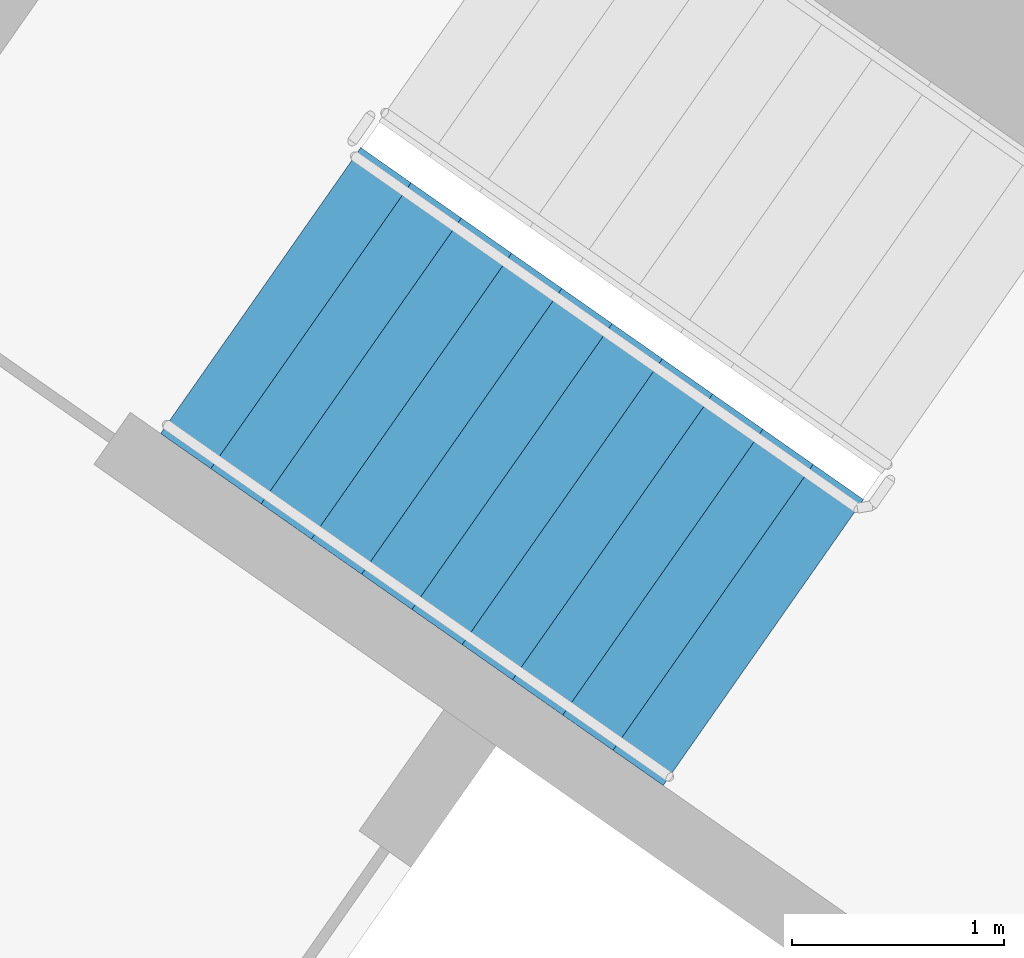
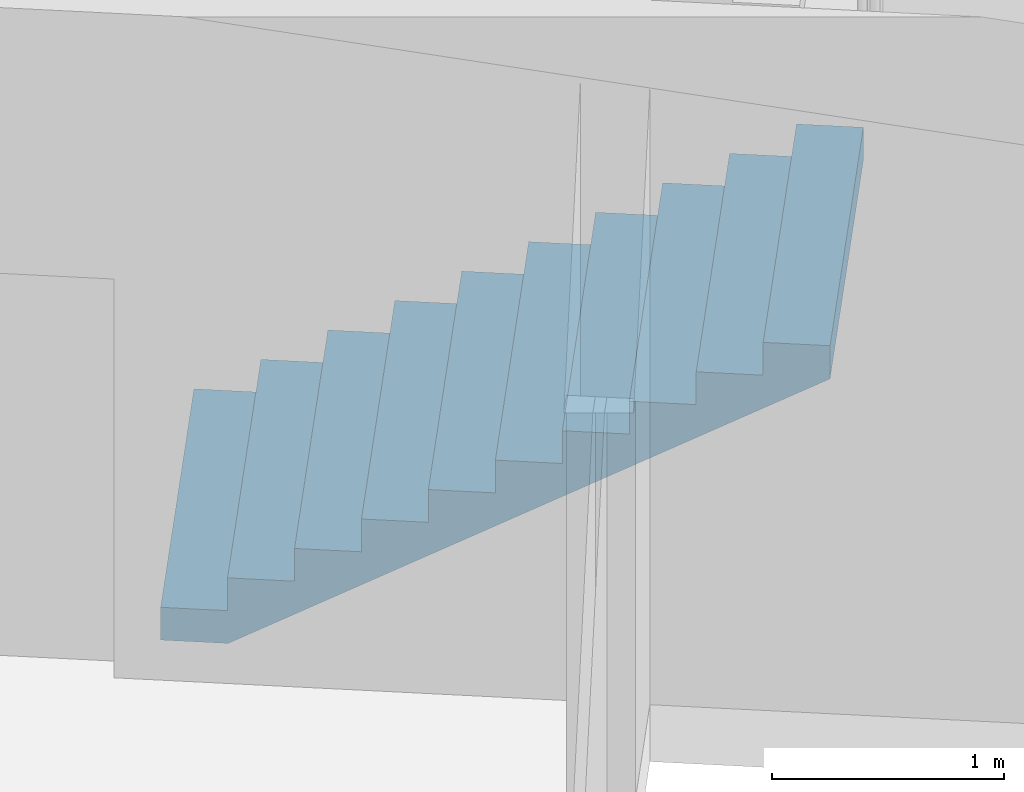
# One storey, part 11 of 29: 1 stair flight, 1 element without a shape of its own.
"""IFC4 building model written with IfcOpenShell, lengths in metres."""

from ifc_helpers import new_model, si_unit, direction, frame, origin, place, context, subcontext, project, spatial, faceted_brep, material, type_object, element, aggregate, save


model = new_model("IFC4")

# Units and contexts
model_context = context("Model", 3, precision=1e-05, world=origin(), true_north=direction((0.0, 1.0)))
body_context = subcontext(model_context, "Body", "Model", "MODEL_VIEW")
ifc_project = project(units=[si_unit("LENGTHUNIT", "METRE"), si_unit("AREAUNIT", "SQUARE_METRE"), si_unit("VOLUMEUNIT", "CUBIC_METRE"), si_unit("PLANEANGLEUNIT", "RADIAN"), si_unit("MASSUNIT", "GRAM", prefix="KILO")], contexts=[model_context])

# Site, building, storey
site_placement = place(None, origin())
site = spatial("IfcSite", under=ifc_project, at=site_placement, CompositionType="ELEMENT")
building_placement = place(site_placement, origin())
building = spatial("IfcBuilding", under=site, at=building_placement, Name="Qamariyya Broadcast Tower", CompositionType="ELEMENT")
storey_placement = place(building_placement, frame((0.0, 0.0, 261.89990234375)))
storey = spatial("IfcBuildingStorey", under=building, at=storey_placement, Name="L63", CompositionType="ELEMENT", Elevation=261.89990234375)

# Stair, stair flight
ifc_material = material(Name="Concrete C50/60", Category="concrete")
stair_type = type_object("IfcStairType", Name="Exit stair 22 risers of 173 mm", PredefinedType="HALF_TURN_STAIR", material=ifc_material)
stair_placement = place(storey_placement, origin())
stair = element("IfcStair", 1, at=stair_placement, inside=storey, type_object=stair_type, Name="L63 Stair W2", PredefinedType="HALF_TURN_STAIR")
stair_flight_type = type_object("IfcStairFlightType", Name="Exit stair flight 11 risers of 173 mm", PredefinedType="STRAIGHT", material=ifc_material)
stair_flight_placement = place(storey_placement, frame((-41.59130859375, -49.15966796875, 0.0), z_axis=(0.0, 0.0, 1.0), x_axis=(0.819152044289, -0.573576436351, 0.0)))
stair_flight = element("IfcStairFlight", 2, at=stair_flight_placement, type_object=stair_flight_type, Name="ST-W2 flight 1", NumberOfRisers=11, NumberOfTreads=10, PredefinedType="STRAIGHT", RiserHeight=0.172727273, TreadLength=0.29, context=body_context, shape_type="Brep", body=[
    faceted_brep([(0.0, 0.824951171875, 0.0), (0.0, 0.824951171875, 0.172607421875), (0.2900390625, 0.824951171875, 0.172607421875), (0.2900390625, 0.824951171875, 0.345458984375), (0.580078125, 0.824951171875, 0.345458984375), (0.580078125, 0.824951171875, 0.51806640625), (0.8701171875, 0.824951171875, 0.51806640625), (0.8701171875, 0.824951171875, 0.69091796875), (1.159912109375, 0.824951171875, 0.69091796875), (1.159912109375, 0.824951171875, 0.863525390625), (1.449951171875, 0.824951171875, 0.863525390625), (1.449951171875, 0.824951171875, 1.036376953125), (1.739990234375, 0.824951171875, 1.036376953125), (1.739990234375, 0.824951171875, 1.208984375), (2.030029296875, 0.824951171875, 1.208984375), (2.030029296875, 0.824951171875, 1.3818359375), (2.320068359375, 0.824951171875, 1.3818359375), (2.320068359375, 0.824951171875, 1.554443359375), (2.610107421875, 0.824951171875, 1.554443359375), (2.610107421875, 0.824951171875, 1.727294921875), (2.89990234375, 0.824951171875, 1.727294921875), (2.89990234375, 0.824951171875, 1.552734375), (0.29296875, 0.824951171875, 0.0), (0.29296875, -0.824951171875, 0.0), (2.89990234375, -0.824951171875, 1.552734375), (2.89990234375, -0.824951171875, 1.727294921875), (2.610107421875, -0.824951171875, 1.727294921875), (2.610107421875, -0.824951171875, 1.554443359375), (2.320068359375, -0.824951171875, 1.554443359375), (2.320068359375, -0.824951171875, 1.3818359375), (2.030029296875, -0.824951171875, 1.3818359375), (2.030029296875, -0.824951171875, 1.208984375), (1.739990234375, -0.824951171875, 1.208984375), (1.739990234375, -0.824951171875, 1.036376953125), (1.449951171875, -0.824951171875, 1.036376953125), (1.449951171875, -0.824951171875, 0.863525390625), (1.159912109375, -0.824951171875, 0.863525390625), (1.159912109375, -0.824951171875, 0.69091796875), (0.8701171875, -0.824951171875, 0.69091796875), (0.8701171875, -0.824951171875, 0.51806640625), (0.580078125, -0.824951171875, 0.51806640625), (0.580078125, -0.824951171875, 0.345458984375), (0.2900390625, -0.824951171875, 0.345458984375), (0.2900390625, -0.824951171875, 0.172607421875), (0.0, -0.824951171875, 0.172607421875), (0.0, -0.824951171875, 0.0), (0.0, 0.10009765625, 0.0), (0.0, 0.086669921875, 0.0), (0.0, 0.0732421875, 0.0), (0.0, 0.06005859375, 0.0), (0.0, 0.046630859375, 0.0), (0.0, 0.033447265625, 0.0), (0.0, 0.02001953125, 0.0), (0.0, 0.006591796875, 0.0), (0.0, -0.006591796875, 0.0), (0.0, -0.02001953125, 0.0), (0.0, -0.033447265625, 0.0), (0.0, -0.046630859375, 0.0), (0.0, -0.06005859375, 0.0), (0.0, -0.0732421875, 0.0), (0.0, -0.086669921875, 0.0), (0.0, -0.10009765625, 0.0), (0.0, -0.10009765625, 0.172607421875), (0.0, -0.086669921875, 0.172607421875), (0.0, -0.0732421875, 0.172607421875), (0.0, -0.06005859375, 0.172607421875), (0.0, -0.046630859375, 0.172607421875), (0.0, -0.033447265625, 0.172607421875), (0.0, -0.02001953125, 0.172607421875), (0.0, -0.006591796875, 0.172607421875), (0.0, 0.006591796875, 0.172607421875), (0.0, 0.02001953125, 0.172607421875), (0.0, 0.033447265625, 0.172607421875), (0.0, 0.046630859375, 0.172607421875), (0.0, 0.06005859375, 0.172607421875), (0.0, 0.0732421875, 0.172607421875), (0.0, 0.086669921875, 0.172607421875), (0.0, 0.10009765625, 0.172607421875), (0.2900390625, -0.10009765625, 0.172607421875), (0.2900390625, -0.086669921875, 0.172607421875), (0.2900390625, -0.0732421875, 0.172607421875), (0.2900390625, -0.06005859375, 0.172607421875), (0.2900390625, -0.046630859375, 0.172607421875), (0.2900390625, -0.033447265625, 0.172607421875), (0.2900390625, -0.02001953125, 0.172607421875), (0.2900390625, -0.006591796875, 0.172607421875), (0.2900390625, 0.006591796875, 0.172607421875), (0.2900390625, 0.02001953125, 0.172607421875), (0.2900390625, 0.033447265625, 0.172607421875), (0.2900390625, 0.046630859375, 0.172607421875), (0.2900390625, 0.06005859375, 0.172607421875), (0.2900390625, 0.0732421875, 0.172607421875), (0.2900390625, 0.086669921875, 0.172607421875), (0.2900390625, 0.10009765625, 0.172607421875), (0.2900390625, -0.10009765625, 0.345458984375), (0.2900390625, -0.086669921875, 0.345458984375), (0.2900390625, -0.0732421875, 0.345458984375), (0.2900390625, -0.06005859375, 0.345458984375), (0.2900390625, -0.046630859375, 0.345458984375), (0.2900390625, -0.033447265625, 0.345458984375), (0.2900390625, -0.02001953125, 0.345458984375), (0.2900390625, -0.006591796875, 0.345458984375), (0.2900390625, 0.006591796875, 0.345458984375), (0.2900390625, 0.02001953125, 0.345458984375), (0.2900390625, 0.033447265625, 0.345458984375), (0.2900390625, 0.046630859375, 0.345458984375), (0.2900390625, 0.06005859375, 0.345458984375), (0.2900390625, 0.0732421875, 0.345458984375), (0.2900390625, 0.086669921875, 0.345458984375), (0.2900390625, 0.10009765625, 0.345458984375), (0.580078125, -0.10009765625, 0.345458984375), (0.580078125, -0.086669921875, 0.345458984375), (0.580078125, -0.0732421875, 0.345458984375), (0.580078125, -0.06005859375, 0.345458984375), (0.580078125, -0.046630859375, 0.345458984375), (0.580078125, -0.033447265625, 0.345458984375), (0.580078125, -0.02001953125, 0.345458984375), (0.580078125, -0.006591796875, 0.345458984375), (0.580078125, 0.006591796875, 0.345458984375), (0.580078125, 0.02001953125, 0.345458984375), (0.580078125, 0.033447265625, 0.345458984375), (0.580078125, 0.046630859375, 0.345458984375), (0.580078125, 0.06005859375, 0.345458984375), (0.580078125, 0.0732421875, 0.345458984375), (0.580078125, 0.086669921875, 0.345458984375), (0.580078125, 0.10009765625, 0.345458984375), (0.580078125, -0.10009765625, 0.51806640625), (0.580078125, -0.086669921875, 0.51806640625), (0.580078125, -0.0732421875, 0.51806640625), (0.580078125, -0.06005859375, 0.51806640625), (0.580078125, -0.046630859375, 0.51806640625), (0.580078125, -0.033447265625, 0.51806640625), (0.580078125, -0.02001953125, 0.51806640625), (0.580078125, -0.006591796875, 0.51806640625), (0.580078125, 0.006591796875, 0.51806640625), (0.580078125, 0.02001953125, 0.51806640625), (0.580078125, 0.033447265625, 0.51806640625), (0.580078125, 0.046630859375, 0.51806640625), (0.580078125, 0.06005859375, 0.51806640625), (0.580078125, 0.0732421875, 0.51806640625), (0.580078125, 0.086669921875, 0.51806640625), (0.580078125, 0.10009765625, 0.51806640625), (0.8701171875, -0.10009765625, 0.51806640625), (0.8701171875, -0.086669921875, 0.51806640625), (0.8701171875, -0.0732421875, 0.51806640625), (0.8701171875, -0.06005859375, 0.51806640625), (0.8701171875, -0.046630859375, 0.51806640625), (0.8701171875, -0.033447265625, 0.51806640625), (0.8701171875, -0.02001953125, 0.51806640625), (0.8701171875, -0.006591796875, 0.51806640625), (0.8701171875, 0.006591796875, 0.51806640625), (0.8701171875, 0.02001953125, 0.51806640625), (0.8701171875, 0.033447265625, 0.51806640625), (0.8701171875, 0.046630859375, 0.51806640625), (0.8701171875, 0.06005859375, 0.51806640625), (0.8701171875, 0.0732421875, 0.51806640625), (0.8701171875, 0.086669921875, 0.51806640625), (0.8701171875, 0.10009765625, 0.51806640625), (0.8701171875, -0.10009765625, 0.69091796875), (0.8701171875, -0.086669921875, 0.69091796875), (0.8701171875, -0.0732421875, 0.69091796875), (0.8701171875, -0.06005859375, 0.69091796875), (0.8701171875, -0.046630859375, 0.69091796875), (0.8701171875, -0.033447265625, 0.69091796875), (0.8701171875, -0.02001953125, 0.69091796875), (0.8701171875, -0.006591796875, 0.69091796875), (0.8701171875, 0.006591796875, 0.69091796875), (0.8701171875, 0.02001953125, 0.69091796875), (0.8701171875, 0.033447265625, 0.69091796875), (0.8701171875, 0.046630859375, 0.69091796875), (0.8701171875, 0.06005859375, 0.69091796875), (0.8701171875, 0.0732421875, 0.69091796875), (0.8701171875, 0.086669921875, 0.69091796875), (0.8701171875, 0.10009765625, 0.69091796875), (1.159912109375, -0.10009765625, 0.69091796875), (1.159912109375, -0.086669921875, 0.69091796875), (1.159912109375, -0.0732421875, 0.69091796875), (1.159912109375, -0.06005859375, 0.69091796875), (1.159912109375, -0.046630859375, 0.69091796875), (1.159912109375, -0.033447265625, 0.69091796875), (1.159912109375, -0.02001953125, 0.69091796875), (1.159912109375, -0.006591796875, 0.69091796875), (1.159912109375, 0.006591796875, 0.69091796875), (1.159912109375, 0.02001953125, 0.69091796875), (1.159912109375, 0.033447265625, 0.69091796875), (1.159912109375, 0.046630859375, 0.69091796875), (1.159912109375, 0.06005859375, 0.69091796875), (1.159912109375, 0.0732421875, 0.69091796875), (1.159912109375, 0.086669921875, 0.69091796875), (1.159912109375, 0.10009765625, 0.69091796875), (1.159912109375, -0.10009765625, 0.863525390625), (1.159912109375, -0.086669921875, 0.863525390625), (1.159912109375, -0.0732421875, 0.863525390625), (1.159912109375, -0.06005859375, 0.863525390625), (1.159912109375, -0.046630859375, 0.863525390625), (1.159912109375, -0.033447265625, 0.863525390625), (1.159912109375, -0.02001953125, 0.863525390625), (1.159912109375, -0.006591796875, 0.863525390625), (1.159912109375, 0.006591796875, 0.863525390625), (1.159912109375, 0.02001953125, 0.863525390625), (1.159912109375, 0.033447265625, 0.863525390625), (1.159912109375, 0.046630859375, 0.863525390625), (1.159912109375, 0.06005859375, 0.863525390625), (1.159912109375, 0.0732421875, 0.863525390625), (1.159912109375, 0.086669921875, 0.863525390625), (1.159912109375, 0.10009765625, 0.863525390625), (1.449951171875, -0.10009765625, 0.863525390625), (1.449951171875, -0.086669921875, 0.863525390625), (1.449951171875, -0.0732421875, 0.863525390625), (1.449951171875, -0.06005859375, 0.863525390625), (1.449951171875, -0.046630859375, 0.863525390625), (1.449951171875, -0.033447265625, 0.863525390625), (1.449951171875, -0.02001953125, 0.863525390625), (1.449951171875, -0.006591796875, 0.863525390625), (1.449951171875, 0.006591796875, 0.863525390625), (1.449951171875, 0.02001953125, 0.863525390625), (1.449951171875, 0.033447265625, 0.863525390625), (1.449951171875, 0.046630859375, 0.863525390625), (1.449951171875, 0.06005859375, 0.863525390625), (1.449951171875, 0.0732421875, 0.863525390625), (1.449951171875, 0.086669921875, 0.863525390625), (1.449951171875, 0.10009765625, 0.863525390625), (1.449951171875, -0.10009765625, 1.036376953125), (1.449951171875, -0.086669921875, 1.036376953125), (1.449951171875, -0.0732421875, 1.036376953125), (1.449951171875, -0.06005859375, 1.036376953125), (1.449951171875, -0.046630859375, 1.036376953125), (1.449951171875, -0.033447265625, 1.036376953125), (1.449951171875, -0.02001953125, 1.036376953125), (1.449951171875, -0.006591796875, 1.036376953125), (1.449951171875, 0.006591796875, 1.036376953125), (1.449951171875, 0.02001953125, 1.036376953125), (1.449951171875, 0.033447265625, 1.036376953125), (1.449951171875, 0.046630859375, 1.036376953125), (1.449951171875, 0.06005859375, 1.036376953125), (1.449951171875, 0.0732421875, 1.036376953125), (1.449951171875, 0.086669921875, 1.036376953125), (1.449951171875, 0.10009765625, 1.036376953125), (1.739990234375, -0.10009765625, 1.036376953125), (1.739990234375, -0.086669921875, 1.036376953125), (1.739990234375, -0.0732421875, 1.036376953125), (1.739990234375, -0.06005859375, 1.036376953125), (1.739990234375, -0.046630859375, 1.036376953125), (1.739990234375, -0.033447265625, 1.036376953125), (1.739990234375, -0.02001953125, 1.036376953125), (1.739990234375, -0.006591796875, 1.036376953125), (1.739990234375, 0.006591796875, 1.036376953125), (1.739990234375, 0.02001953125, 1.036376953125), (1.739990234375, 0.033447265625, 1.036376953125), (1.739990234375, 0.046630859375, 1.036376953125), (1.739990234375, 0.06005859375, 1.036376953125), (1.739990234375, 0.0732421875, 1.036376953125), (1.739990234375, 0.086669921875, 1.036376953125), (1.739990234375, 0.10009765625, 1.036376953125), (1.739990234375, -0.10009765625, 1.208984375), (1.739990234375, -0.086669921875, 1.208984375), (1.739990234375, -0.0732421875, 1.208984375), (1.739990234375, -0.06005859375, 1.208984375), (1.739990234375, -0.046630859375, 1.208984375), (1.739990234375, -0.033447265625, 1.208984375), (1.739990234375, -0.02001953125, 1.208984375), (1.739990234375, -0.006591796875, 1.208984375), (1.739990234375, 0.006591796875, 1.208984375), (1.739990234375, 0.02001953125, 1.208984375), (1.739990234375, 0.033447265625, 1.208984375), (1.739990234375, 0.046630859375, 1.208984375), (1.739990234375, 0.06005859375, 1.208984375), (1.739990234375, 0.0732421875, 1.208984375), (1.739990234375, 0.086669921875, 1.208984375), (1.739990234375, 0.10009765625, 1.208984375), (2.030029296875, -0.10009765625, 1.208984375), (2.030029296875, -0.086669921875, 1.208984375), (2.030029296875, -0.0732421875, 1.208984375), (2.030029296875, -0.06005859375, 1.208984375), (2.030029296875, -0.046630859375, 1.208984375), (2.030029296875, -0.033447265625, 1.208984375), (2.030029296875, -0.02001953125, 1.208984375), (2.030029296875, -0.006591796875, 1.208984375), (2.030029296875, 0.006591796875, 1.208984375), (2.030029296875, 0.02001953125, 1.208984375), (2.030029296875, 0.033447265625, 1.208984375), (2.030029296875, 0.046630859375, 1.208984375), (2.030029296875, 0.06005859375, 1.208984375), (2.030029296875, 0.0732421875, 1.208984375), (2.030029296875, 0.086669921875, 1.208984375), (2.030029296875, 0.10009765625, 1.208984375), (2.030029296875, -0.10009765625, 1.3818359375), (2.030029296875, -0.086669921875, 1.3818359375), (2.030029296875, -0.0732421875, 1.3818359375), (2.030029296875, -0.06005859375, 1.3818359375), (2.030029296875, -0.046630859375, 1.3818359375), (2.030029296875, -0.033447265625, 1.3818359375), (2.030029296875, -0.02001953125, 1.3818359375), (2.030029296875, -0.006591796875, 1.3818359375), (2.030029296875, 0.006591796875, 1.3818359375), (2.030029296875, 0.02001953125, 1.3818359375), (2.030029296875, 0.033447265625, 1.3818359375), (2.030029296875, 0.046630859375, 1.3818359375), (2.030029296875, 0.06005859375, 1.3818359375), (2.030029296875, 0.0732421875, 1.3818359375), (2.030029296875, 0.086669921875, 1.3818359375), (2.030029296875, 0.10009765625, 1.3818359375), (2.320068359375, -0.10009765625, 1.3818359375), (2.320068359375, -0.086669921875, 1.3818359375), (2.320068359375, -0.0732421875, 1.3818359375), (2.320068359375, -0.06005859375, 1.3818359375), (2.320068359375, -0.046630859375, 1.3818359375), (2.320068359375, -0.033447265625, 1.3818359375), (2.320068359375, -0.02001953125, 1.3818359375), (2.320068359375, -0.006591796875, 1.3818359375), (2.320068359375, 0.006591796875, 1.3818359375), (2.320068359375, 0.02001953125, 1.3818359375), (2.320068359375, 0.033447265625, 1.3818359375), (2.320068359375, 0.046630859375, 1.3818359375), (2.320068359375, 0.06005859375, 1.3818359375), (2.320068359375, 0.0732421875, 1.3818359375), (2.320068359375, 0.086669921875, 1.3818359375), (2.320068359375, 0.10009765625, 1.3818359375), (2.320068359375, -0.10009765625, 1.554443359375), (2.320068359375, -0.086669921875, 1.554443359375), (2.320068359375, -0.0732421875, 1.554443359375), (2.320068359375, -0.06005859375, 1.554443359375), (2.320068359375, -0.046630859375, 1.554443359375), (2.320068359375, -0.033447265625, 1.554443359375), (2.320068359375, -0.02001953125, 1.554443359375), (2.320068359375, -0.006591796875, 1.554443359375), (2.320068359375, 0.006591796875, 1.554443359375), (2.320068359375, 0.02001953125, 1.554443359375), (2.320068359375, 0.033447265625, 1.554443359375), (2.320068359375, 0.046630859375, 1.554443359375), (2.320068359375, 0.06005859375, 1.554443359375), (2.320068359375, 0.0732421875, 1.554443359375), (2.320068359375, 0.086669921875, 1.554443359375), (2.320068359375, 0.10009765625, 1.554443359375), (2.610107421875, -0.10009765625, 1.554443359375), (2.610107421875, -0.086669921875, 1.554443359375), (2.610107421875, -0.0732421875, 1.554443359375), (2.610107421875, -0.06005859375, 1.554443359375), (2.610107421875, -0.046630859375, 1.554443359375), (2.610107421875, -0.033447265625, 1.554443359375), (2.610107421875, -0.02001953125, 1.554443359375), (2.610107421875, -0.006591796875, 1.554443359375), (2.610107421875, 0.006591796875, 1.554443359375), (2.610107421875, 0.02001953125, 1.554443359375), (2.610107421875, 0.033447265625, 1.554443359375), (2.610107421875, 0.046630859375, 1.554443359375), (2.610107421875, 0.06005859375, 1.554443359375), (2.610107421875, 0.0732421875, 1.554443359375), (2.610107421875, 0.086669921875, 1.554443359375), (2.610107421875, 0.10009765625, 1.554443359375), (2.610107421875, -0.10009765625, 1.727294921875), (2.610107421875, -0.086669921875, 1.727294921875), (2.610107421875, -0.0732421875, 1.727294921875), (2.610107421875, -0.06005859375, 1.727294921875), (2.610107421875, -0.046630859375, 1.727294921875), (2.610107421875, -0.033447265625, 1.727294921875), (2.610107421875, -0.02001953125, 1.727294921875), (2.610107421875, -0.006591796875, 1.727294921875), (2.610107421875, 0.006591796875, 1.727294921875), (2.610107421875, 0.02001953125, 1.727294921875), (2.610107421875, 0.033447265625, 1.727294921875), (2.610107421875, 0.046630859375, 1.727294921875), (2.610107421875, 0.06005859375, 1.727294921875), (2.610107421875, 0.0732421875, 1.727294921875), (2.610107421875, 0.086669921875, 1.727294921875), (2.610107421875, 0.10009765625, 1.727294921875), (2.89990234375, -0.10009765625, 1.727294921875), (2.89990234375, -0.086669921875, 1.727294921875), (2.89990234375, -0.0732421875, 1.727294921875), (2.89990234375, -0.06005859375, 1.727294921875), (2.89990234375, -0.046630859375, 1.727294921875), (2.89990234375, -0.033447265625, 1.727294921875), (2.89990234375, -0.02001953125, 1.727294921875), (2.89990234375, -0.006591796875, 1.727294921875), (2.89990234375, 0.006591796875, 1.727294921875), (2.89990234375, 0.02001953125, 1.727294921875), (2.89990234375, 0.033447265625, 1.727294921875), (2.89990234375, 0.046630859375, 1.727294921875), (2.89990234375, 0.06005859375, 1.727294921875), (2.89990234375, 0.0732421875, 1.727294921875), (2.89990234375, 0.086669921875, 1.727294921875), (2.89990234375, 0.10009765625, 1.727294921875), (2.89990234375, -0.10009765625, 1.552734375), (2.89990234375, -0.086669921875, 1.552734375), (2.89990234375, -0.0732421875, 1.552734375), (2.89990234375, -0.06005859375, 1.552734375), (2.89990234375, -0.046630859375, 1.552734375), (2.89990234375, -0.033447265625, 1.552734375), (2.89990234375, -0.02001953125, 1.552734375), (2.89990234375, -0.006591796875, 1.552734375), (2.89990234375, 0.006591796875, 1.552734375), (2.89990234375, 0.02001953125, 1.552734375), (2.89990234375, 0.033447265625, 1.552734375), (2.89990234375, 0.046630859375, 1.552734375), (2.89990234375, 0.06005859375, 1.552734375), (2.89990234375, 0.0732421875, 1.552734375), (2.89990234375, 0.086669921875, 1.552734375), (2.89990234375, 0.10009765625, 1.552734375), (0.29296875, -0.10009765625, 0.0), (0.29296875, -0.086669921875, 0.0), (0.29296875, -0.0732421875, 0.0), (0.29296875, -0.06005859375, 0.0), (0.29296875, -0.046630859375, 0.0), (0.29296875, -0.033447265625, 0.0), (0.29296875, -0.02001953125, 0.0), (0.29296875, -0.006591796875, 0.0), (0.29296875, 0.006591796875, 0.0), (0.29296875, 0.02001953125, 0.0), (0.29296875, 0.033447265625, 0.0), (0.29296875, 0.046630859375, 0.0), (0.29296875, 0.06005859375, 0.0), (0.29296875, 0.0732421875, 0.0), (0.29296875, 0.086669921875, 0.0), (0.29296875, 0.10009765625, 0.0)], [[[0, 1, 2, 3, 4, 5, 6, 7, 8, 9, 10, 11, 12, 13, 14, 15, 16, 17, 18, 19, 20, 21, 22]], [[23, 24, 25, 26, 27, 28, 29, 30, 31, 32, 33, 34, 35, 36, 37, 38, 39, 40, 41, 42, 43, 44, 45]], [[0, 46, 47, 48, 49, 50, 51, 52, 53, 54, 55, 56, 57, 58, 59, 60, 61, 45, 44, 62, 63, 64, 65, 66, 67, 68, 69, 70, 71, 72, 73, 74, 75, 76, 77, 1]], [[1, 77, 76, 75, 74, 73, 72, 71, 70, 69, 68, 67, 66, 65, 64, 63, 62, 44, 43, 78, 79, 80, 81, 82, 83, 84, 85, 86, 87, 88, 89, 90, 91, 92, 93, 2]], [[2, 93, 92, 91, 90, 89, 88, 87, 86, 85, 84, 83, 82, 81, 80, 79, 78, 43, 42, 94, 95, 96, 97, 98, 99, 100, 101, 102, 103, 104, 105, 106, 107, 108, 109, 3]], [[3, 109, 108, 107, 106, 105, 104, 103, 102, 101, 100, 99, 98, 97, 96, 95, 94, 42, 41, 110, 111, 112, 113, 114, 115, 116, 117, 118, 119, 120, 121, 122, 123, 124, 125, 4]], [[4, 125, 124, 123, 122, 121, 120, 119, 118, 117, 116, 115, 114, 113, 112, 111, 110, 41, 40, 126, 127, 128, 129, 130, 131, 132, 133, 134, 135, 136, 137, 138, 139, 140, 141, 5]], [[5, 141, 140, 139, 138, 137, 136, 135, 134, 133, 132, 131, 130, 129, 128, 127, 126, 40, 39, 142, 143, 144, 145, 146, 147, 148, 149, 150, 151, 152, 153, 154, 155, 156, 157, 6]], [[6, 157, 156, 155, 154, 153, 152, 151, 150, 149, 148, 147, 146, 145, 144, 143, 142, 39, 38, 158, 159, 160, 161, 162, 163, 164, 165, 166, 167, 168, 169, 170, 171, 172, 173, 7]], [[7, 173, 172, 171, 170, 169, 168, 167, 166, 165, 164, 163, 162, 161, 160, 159, 158, 38, 37, 174, 175, 176, 177, 178, 179, 180, 181, 182, 183, 184, 185, 186, 187, 188, 189, 8]], [[8, 189, 188, 187, 186, 185, 184, 183, 182, 181, 180, 179, 178, 177, 176, 175, 174, 37, 36, 190, 191, 192, 193, 194, 195, 196, 197, 198, 199, 200, 201, 202, 203, 204, 205, 9]], [[9, 205, 204, 203, 202, 201, 200, 199, 198, 197, 196, 195, 194, 193, 192, 191, 190, 36, 35, 206, 207, 208, 209, 210, 211, 212, 213, 214, 215, 216, 217, 218, 219, 220, 221, 10]], [[10, 221, 220, 219, 218, 217, 216, 215, 214, 213, 212, 211, 210, 209, 208, 207, 206, 35, 34, 222, 223, 224, 225, 226, 227, 228, 229, 230, 231, 232, 233, 234, 235, 236, 237, 11]], [[11, 237, 236, 235, 234, 233, 232, 231, 230, 229, 228, 227, 226, 225, 224, 223, 222, 34, 33, 238, 239, 240, 241, 242, 243, 244, 245, 246, 247, 248, 249, 250, 251, 252, 253, 12]], [[12, 253, 252, 251, 250, 249, 248, 247, 246, 245, 244, 243, 242, 241, 240, 239, 238, 33, 32, 254, 255, 256, 257, 258, 259, 260, 261, 262, 263, 264, 265, 266, 267, 268, 269, 13]], [[13, 269, 268, 267, 266, 265, 264, 263, 262, 261, 260, 259, 258, 257, 256, 255, 254, 32, 31, 270, 271, 272, 273, 274, 275, 276, 277, 278, 279, 280, 281, 282, 283, 284, 285, 14]], [[14, 285, 284, 283, 282, 281, 280, 279, 278, 277, 276, 275, 274, 273, 272, 271, 270, 31, 30, 286, 287, 288, 289, 290, 291, 292, 293, 294, 295, 296, 297, 298, 299, 300, 301, 15]], [[15, 301, 300, 299, 298, 297, 296, 295, 294, 293, 292, 291, 290, 289, 288, 287, 286, 30, 29, 302, 303, 304, 305, 306, 307, 308, 309, 310, 311, 312, 313, 314, 315, 316, 317, 16]], [[16, 317, 316, 315, 314, 313, 312, 311, 310, 309, 308, 307, 306, 305, 304, 303, 302, 29, 28, 318, 319, 320, 321, 322, 323, 324, 325, 326, 327, 328, 329, 330, 331, 332, 333, 17]], [[17, 333, 332, 331, 330, 329, 328, 327, 326, 325, 324, 323, 322, 321, 320, 319, 318, 28, 27, 334, 335, 336, 337, 338, 339, 340, 341, 342, 343, 344, 345, 346, 347, 348, 349, 18]], [[18, 349, 348, 347, 346, 345, 344, 343, 342, 341, 340, 339, 338, 337, 336, 335, 334, 27, 26, 350, 351, 352, 353, 354, 355, 356, 357, 358, 359, 360, 361, 362, 363, 364, 365, 19]], [[19, 365, 364, 363, 362, 361, 360, 359, 358, 357, 356, 355, 354, 353, 352, 351, 350, 26, 25, 366, 367, 368, 369, 370, 371, 372, 373, 374, 375, 376, 377, 378, 379, 380, 381, 20]], [[20, 381, 380, 379, 378, 377, 376, 375, 374, 373, 372, 371, 370, 369, 368, 367, 366, 25, 24, 382, 383, 384, 385, 386, 387, 388, 389, 390, 391, 392, 393, 394, 395, 396, 397, 21]], [[21, 397, 396, 395, 394, 393, 392, 391, 390, 389, 388, 387, 386, 385, 384, 383, 382, 24, 23, 398, 399, 400, 401, 402, 403, 404, 405, 406, 407, 408, 409, 410, 411, 412, 413, 22]], [[22, 413, 412, 411, 410, 409, 408, 407, 406, 405, 404, 403, 402, 401, 400, 399, 398, 23, 45, 61, 60, 59, 58, 57, 56, 55, 54, 53, 52, 51, 50, 49, 48, 47, 46, 0]]]),
])
aggregate(stair, [stair_flight])

save(model, "model.ifc")
